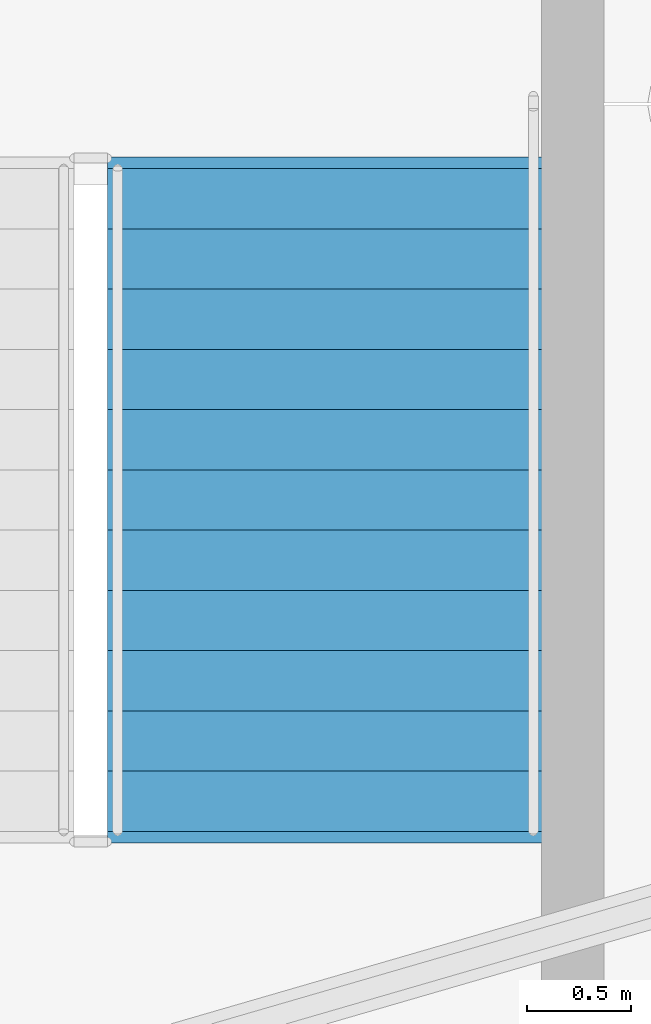
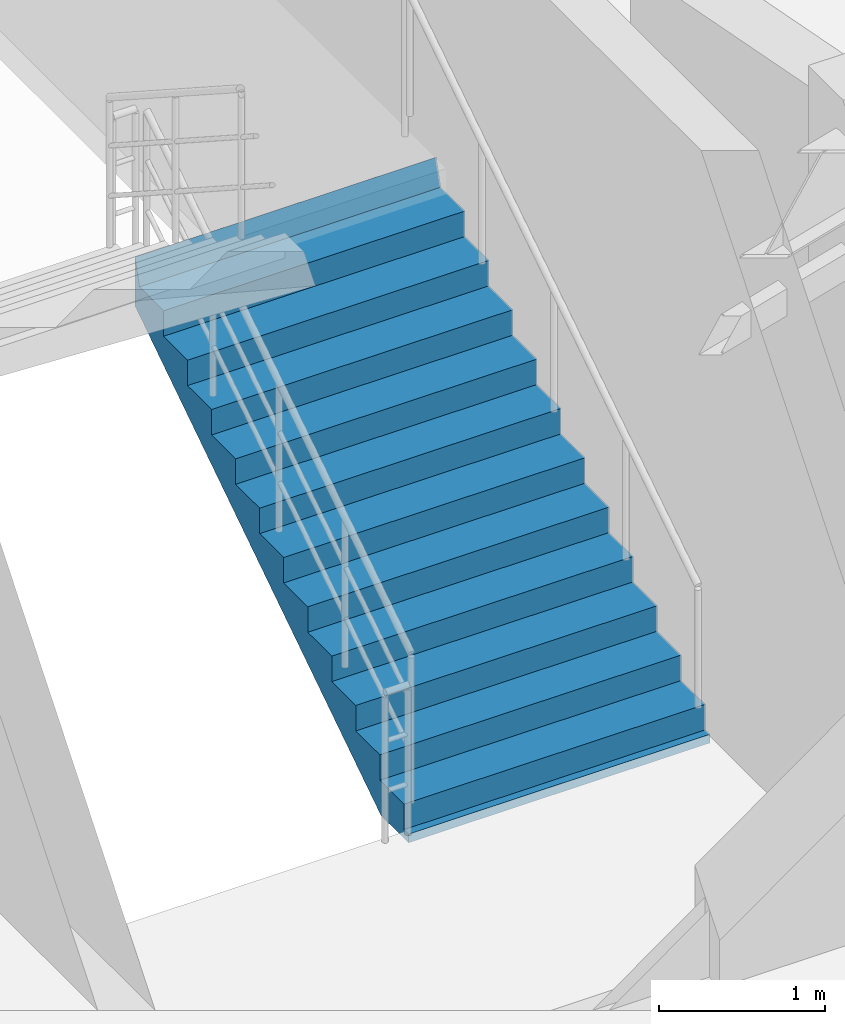
# One storey, part 47 of 60: 1 stair flight, 1 element without a shape of its own.
"""IFC4 building model written with IfcOpenShell, lengths in metres."""

from ifc_helpers import new_model, si_unit, direction, frame, origin, place, context, subcontext, project, spatial, polyline, outline, extrude, material, type_object, element, aggregate, save


model = new_model("IFC4")

# Units and contexts
model_context = context("Model", 3, precision=1e-05, world=origin(), true_north=direction((0.0, 1.0)))
body_context = subcontext(model_context, "Body", "Model", "MODEL_VIEW")
ifc_project = project(units=[si_unit("LENGTHUNIT", "METRE"), si_unit("AREAUNIT", "SQUARE_METRE"), si_unit("VOLUMEUNIT", "CUBIC_METRE"), si_unit("PLANEANGLEUNIT", "RADIAN"), si_unit("MASSUNIT", "GRAM", prefix="KILO")], contexts=[model_context])

# Site, building, storey
site_placement = place(None, origin())
site = spatial("IfcSite", under=ifc_project, at=site_placement, CompositionType="ELEMENT")
building_placement = place(site_placement, origin())
building = spatial("IfcBuilding", under=site, at=building_placement, Name="Cinderbank Siding Concert Hall", CompositionType="ELEMENT")
storey_placement = place(building_placement, frame((0.0, 0.0, 14.699951171875)))
storey = spatial("IfcBuildingStorey", under=building, at=storey_placement, Name="L04", CompositionType="ELEMENT", Elevation=14.699951171875)

# Stair, stair flight
ifc_material = material(Name="Reinforced concrete AS 3600 N50 (50 MPa)", Category="concrete")
stair_type = type_object("IfcStairType", Name="STR-D Dogleg Exit Stair 2100mm", PredefinedType="HALF_TURN_STAIR", material=ifc_material)
stair_placement = place(storey_placement, origin())
stair = element("IfcStair", 1, at=stair_placement, inside=storey, type_object=stair_type, Name="L04 West Drum Exit Stair ST-04", PredefinedType="HALF_TURN_STAIR")
stair_flight_type = type_object("IfcStairFlightType", Name="SFL-D Concrete Stair Flight 2100mm", PredefinedType="STRAIGHT", material=ifc_material)
stair_flight_placement = place(storey_placement, frame((100.85009765625, 40.5, 0.0), z_axis=(0.0, 0.0, 1.0), x_axis=(0.0, 1.0, 0.0)))
stair_flight = element("IfcStairFlight", 2, at=stair_flight_placement, type_object=stair_flight_type, Name="ST-04 flight 1", NumberOfRisers=12, NumberOfTreads=11, PredefinedType="STRAIGHT", RiserHeight=0.1875, TreadLength=0.29, context=body_context, shape_type="SweptSolid", body=[
    extrude(outline(polyline([(0.0, 0.0), (0.0, 0.1875), (0.2900390625, 0.1875), (0.2900390625, 0.375), (0.580078125, 0.375), (0.580078125, 0.5625), (0.8701171875, 0.5625), (0.8701171875, 0.75), (1.159912109375, 0.75), (1.159912109375, 0.9375), (1.449951171875, 0.9375), (1.449951171875, 1.125), (1.739990234375, 1.125), (1.739990234375, 1.3125), (2.030029296875, 1.3125), (2.030029296875, 1.5), (2.320068359375, 1.5), (2.320068359375, 1.6875), (2.610107421875, 1.6875), (2.610107421875, 1.875), (2.89990234375, 1.875), (2.89990234375, 2.0625), (3.18994140625, 2.0625), (3.244873046875, 2.25), (3.244873046875, 1.884033203125), (3.24462890625, 1.88427734375), (3.24462890625, 1.884521484375), (3.24462890625, 1.884765625), (3.24462890625, 1.885009765625), (3.24462890625, 1.88525390625), (3.24462890625, 1.885498046875), (3.24462890625, 1.8857421875), (3.24462890625, 1.885986328125), (3.24462890625, 1.88623046875), (3.24462890625, 1.886474609375), (3.24462890625, 1.88671875), (3.24462890625, 1.886962890625), (3.244384765625, 1.886962890625), (3.244384765625, 1.88671875), (3.244384765625, 1.886474609375), (3.244384765625, 1.88623046875), (3.244384765625, 1.885986328125), (3.244384765625, 1.8857421875), (3.244384765625, 1.885498046875), (3.244384765625, 1.88525390625), (3.244384765625, 1.885009765625), (3.244384765625, 1.884765625), (3.244384765625, 1.884521484375), (3.244384765625, 1.88427734375), (3.244384765625, 1.884033203125), (3.244140625, 1.88427734375), (3.244140625, 1.884521484375), (3.244140625, 1.884765625), (3.244140625, 1.885009765625), (3.244140625, 1.88525390625), (3.244140625, 1.885498046875), (3.244140625, 1.8857421875), (3.244140625, 1.885986328125), (3.244140625, 1.88623046875), (3.244140625, 1.886474609375), (3.244140625, 1.88671875), (3.244140625, 1.886962890625), (3.243896484375, 1.886962890625), (3.243896484375, 1.88671875), (3.243896484375, 1.886474609375), (3.243896484375, 1.88623046875), (3.243896484375, 1.885986328125), (3.243896484375, 1.8857421875), (3.243896484375, 1.885498046875), (3.243896484375, 1.88525390625), (3.243896484375, 1.885009765625), (3.243896484375, 1.884765625), (3.243896484375, 1.884521484375), (3.243896484375, 1.88427734375), (3.243896484375, 1.884033203125), (3.24365234375, 1.88427734375), (3.24365234375, 1.884521484375), (3.24365234375, 1.884765625), (3.24365234375, 1.885009765625), (3.24365234375, 1.88525390625), (3.24365234375, 1.885498046875), (3.24365234375, 1.8857421875), (3.24365234375, 1.885986328125), (3.24365234375, 1.88623046875), (3.24365234375, 1.886474609375), (3.24365234375, 1.88671875), (3.24365234375, 1.886962890625), (3.243408203125, 1.886962890625), (3.243408203125, 1.88671875), (3.243408203125, 1.886474609375), (3.243408203125, 1.88623046875), (3.243408203125, 1.885986328125), (3.243408203125, 1.8857421875), (3.243408203125, 1.885498046875), (3.243408203125, 1.88525390625), (3.243408203125, 1.885009765625), (3.243408203125, 1.884765625), (3.243408203125, 1.884521484375), (3.243408203125, 1.88427734375), (3.243408203125, 1.884033203125), (3.2431640625, 1.88427734375), (3.2431640625, 1.884521484375), (3.2431640625, 1.884765625), (3.2431640625, 1.885009765625), (3.2431640625, 1.88525390625), (3.2431640625, 1.885498046875), (3.2431640625, 1.8857421875), (3.2431640625, 1.885986328125), (3.2431640625, 1.88623046875), (3.2431640625, 1.886474609375), (3.2431640625, 1.88671875), (3.2431640625, 1.886962890625), (3.242919921875, 1.886962890625), (3.242919921875, 1.88671875), (3.242919921875, 1.886474609375), (3.242919921875, 1.88623046875), (3.242919921875, 1.885986328125), (3.242919921875, 1.8857421875), (3.242919921875, 1.885498046875), (3.242919921875, 1.88525390625), (3.242919921875, 1.885009765625), (3.242919921875, 1.884765625), (3.242919921875, 1.884521484375), (3.242919921875, 1.88427734375), (3.242919921875, 1.884033203125), (3.24267578125, 1.88427734375), (3.24267578125, 1.884521484375), (3.24267578125, 1.884765625), (3.24267578125, 1.885009765625), (3.24267578125, 1.88525390625), (3.24267578125, 1.885498046875), (3.24267578125, 1.8857421875), (3.24267578125, 1.885986328125), (3.24267578125, 1.88623046875), (3.24267578125, 1.886474609375), (3.24267578125, 1.88671875), (3.24267578125, 1.886962890625), (3.242431640625, 1.886962890625), (3.242431640625, 1.88671875), (3.242431640625, 1.886474609375), (3.242431640625, 1.88623046875), (3.242431640625, 1.885986328125), (3.242431640625, 1.8857421875), (3.242431640625, 1.885498046875), (3.242431640625, 1.88525390625), (3.242431640625, 1.885009765625), (3.242431640625, 1.884765625), (3.242431640625, 1.884521484375), (3.242431640625, 1.88427734375), (3.242431640625, 1.884033203125), (3.2421875, 1.88427734375), (3.2421875, 1.884521484375), (3.2421875, 1.884765625), (3.2421875, 1.885009765625), (3.2421875, 1.88525390625), (3.2421875, 1.885498046875), (3.2421875, 1.8857421875), (3.2421875, 1.885986328125), (3.2421875, 1.88623046875), (3.2421875, 1.886474609375), (3.2421875, 1.88671875), (3.2421875, 1.886962890625), (3.241943359375, 1.886962890625), (3.241943359375, 1.88671875), (3.241943359375, 1.886474609375), (3.241943359375, 1.88623046875), (3.241943359375, 1.885986328125), (3.241943359375, 1.8857421875), (3.241943359375, 1.885498046875), (3.241943359375, 1.88525390625), (3.241943359375, 1.885009765625), (3.241943359375, 1.884765625), (3.241943359375, 1.884521484375), (3.241943359375, 1.88427734375), (3.241943359375, 1.884033203125), (3.24169921875, 1.88427734375), (3.24169921875, 1.884521484375), (3.24169921875, 1.884765625), (3.24169921875, 1.885009765625), (3.24169921875, 1.88525390625), (3.24169921875, 1.885498046875), (3.24169921875, 1.8857421875), (3.24169921875, 1.885986328125), (3.24169921875, 1.88623046875), (3.24169921875, 1.886474609375), (3.24169921875, 1.88671875), (3.24169921875, 1.886962890625), (3.241455078125, 1.886962890625), (3.241455078125, 1.88671875), (3.241455078125, 1.886474609375), (3.241455078125, 1.88623046875), (3.241455078125, 1.885986328125), (3.241455078125, 1.8857421875), (3.241455078125, 1.885498046875), (3.241455078125, 1.88525390625), (3.241455078125, 1.885009765625), (3.241455078125, 1.884765625), (3.241455078125, 1.884521484375), (3.241455078125, 1.88427734375), (3.241455078125, 1.884033203125), (3.2412109375, 1.88427734375), (3.2412109375, 1.884521484375), (3.2412109375, 1.884765625), (3.2412109375, 1.885009765625), (3.2412109375, 1.88525390625), (3.2412109375, 1.885498046875), (3.2412109375, 1.8857421875), (3.2412109375, 1.885986328125), (3.2412109375, 1.88623046875), (3.2412109375, 1.886474609375), (3.2412109375, 1.88671875), (3.2412109375, 1.886962890625), (3.240966796875, 1.886962890625), (3.240966796875, 1.88671875), (3.240966796875, 1.886474609375), (3.240966796875, 1.88623046875), (3.240966796875, 1.885986328125), (3.240966796875, 1.8857421875), (3.240966796875, 1.885498046875), (3.240966796875, 1.88525390625), (3.240966796875, 1.885009765625), (3.240966796875, 1.884765625), (3.240966796875, 1.884521484375), (3.240966796875, 1.88427734375), (3.240966796875, 1.884033203125), (3.24072265625, 1.88427734375), (3.24072265625, 1.884521484375), (3.24072265625, 1.884765625), (3.24072265625, 1.885009765625), (3.24072265625, 1.88525390625), (3.24072265625, 1.885498046875), (3.24072265625, 1.8857421875), (3.24072265625, 1.885986328125), (3.24072265625, 1.88623046875), (3.24072265625, 1.886474609375), (3.24072265625, 1.88671875), (3.24072265625, 1.886962890625), (3.240478515625, 1.886962890625), (3.240478515625, 1.88671875), (3.240478515625, 1.886474609375), (3.240478515625, 1.88623046875), (3.240478515625, 1.885986328125), (3.240478515625, 1.8857421875), (3.240478515625, 1.885498046875), (3.240478515625, 1.88525390625), (3.240478515625, 1.885009765625), (3.240478515625, 1.884765625), (3.240478515625, 1.884521484375), (3.240478515625, 1.88427734375), (3.240478515625, 1.884033203125), (3.240234375, 1.88427734375), (3.240234375, 1.884521484375), (3.240234375, 1.884765625), (3.240234375, 1.885009765625), (3.240234375, 1.88525390625), (3.240234375, 1.885498046875), (3.240234375, 1.8857421875), (3.240234375, 1.885986328125), (3.240234375, 1.88623046875), (3.240234375, 1.886474609375), (3.240234375, 1.88671875), (3.240234375, 1.886962890625), (3.239990234375, 1.886962890625), (3.239990234375, 1.88671875), (3.239990234375, 1.886474609375), (3.239990234375, 1.88623046875), (3.239990234375, 1.885986328125), (3.239990234375, 1.8857421875), (3.239990234375, 1.885498046875), (3.239990234375, 1.88525390625), (3.239990234375, 1.885009765625), (3.239990234375, 1.884765625), (3.239990234375, 1.884521484375), (3.239990234375, 1.88427734375), (3.239990234375, 1.884033203125), (3.23974609375, 1.88427734375), (3.23974609375, 1.884521484375), (3.23974609375, 1.884765625), (3.23974609375, 1.885009765625), (3.23974609375, 1.88525390625), (3.23974609375, 1.885498046875), (3.23974609375, 1.8857421875), (3.23974609375, 1.885986328125), (3.23974609375, 1.88623046875), (3.23974609375, 1.886474609375), (3.23974609375, 1.88671875), (3.23974609375, 1.886962890625), (3.239501953125, 1.886962890625), (3.239501953125, 1.88671875), (3.239501953125, 1.886474609375), (3.239501953125, 1.88623046875), (3.239501953125, 1.885986328125), (3.239501953125, 1.8857421875), (3.239501953125, 1.885498046875), (3.239501953125, 1.88525390625), (3.239501953125, 1.885009765625), (3.239501953125, 1.884765625), (3.239501953125, 1.884521484375), (3.239501953125, 1.88427734375), (3.239501953125, 1.884033203125), (3.2392578125, 1.88427734375), (3.2392578125, 1.884521484375), (3.2392578125, 1.884765625), (3.2392578125, 1.885009765625), (3.2392578125, 1.88525390625), (3.2392578125, 1.885498046875), (3.2392578125, 1.8857421875), (3.2392578125, 1.885986328125), (3.2392578125, 1.88623046875), (3.2392578125, 1.886474609375), (3.2392578125, 1.88671875), (3.2392578125, 1.886962890625), (3.239013671875, 1.886962890625), (3.239013671875, 1.88671875), (3.239013671875, 1.886474609375), (3.239013671875, 1.88623046875), (3.239013671875, 1.885986328125), (3.239013671875, 1.8857421875), (3.239013671875, 1.885498046875), (3.239013671875, 1.88525390625), (3.239013671875, 1.885009765625), (3.239013671875, 1.884765625), (3.239013671875, 1.884521484375), (3.239013671875, 1.88427734375), (3.239013671875, 1.884033203125), (3.23876953125, 1.88427734375), (3.23876953125, 1.884521484375), (3.23876953125, 1.884765625), (3.23876953125, 1.885009765625), (3.23876953125, 1.88525390625), (3.23876953125, 1.885498046875), (3.23876953125, 1.8857421875), (3.23876953125, 1.885986328125), (3.23876953125, 1.88623046875), (3.23876953125, 1.886474609375), (3.23876953125, 1.88671875), (3.23876953125, 1.886962890625), (3.238525390625, 1.886962890625), (3.238525390625, 1.88671875), (3.238525390625, 1.886474609375), (3.238525390625, 1.88623046875), (3.238525390625, 1.885986328125), (3.238525390625, 1.8857421875), (3.238525390625, 1.885498046875), (3.238525390625, 1.88525390625), (3.238525390625, 1.885009765625), (3.238525390625, 1.884765625), (3.238525390625, 1.884521484375), (3.238525390625, 1.88427734375), (3.238525390625, 1.884033203125), (0.276123046875, -0.06396484375), (-0.048583984375, -0.063720703125), (-0.048583984375, -0.0634765625), (-0.048583984375, -0.063232421875), (-0.048583984375, -0.06298828125), (-0.048583984375, -0.062744140625), (-0.048583984375, -0.0625), (-0.048583984375, -0.062255859375), (-0.048583984375, -0.06201171875), (-0.048583984375, -0.061767578125), (-0.048583984375, -0.0615234375), (-0.048583984375, -0.061279296875), (-0.048583984375, -0.06103515625), (-0.048828125, -0.06103515625), (-0.048828125, -0.061279296875), (-0.048828125, -0.0615234375), (-0.048828125, -0.061767578125), (-0.048828125, -0.06201171875), (-0.048828125, -0.062255859375), (-0.048828125, -0.0625), (-0.048828125, -0.062744140625), (-0.048828125, -0.06298828125), (-0.048828125, -0.063232421875), (-0.048828125, -0.0634765625), (-0.048828125, -0.063720703125), (-0.048828125, -0.06396484375), (-0.049072265625, -0.063720703125), (-0.049072265625, -0.0634765625), (-0.049072265625, -0.063232421875), (-0.049072265625, -0.06298828125), (-0.049072265625, -0.062744140625), (-0.049072265625, -0.0625), (-0.049072265625, -0.062255859375), (-0.049072265625, -0.06201171875), (-0.049072265625, -0.061767578125), (-0.049072265625, -0.0615234375), (-0.049072265625, -0.061279296875), (-0.049072265625, -0.06103515625), (-0.04931640625, -0.06103515625), (-0.04931640625, -0.061279296875), (-0.04931640625, -0.0615234375), (-0.04931640625, -0.061767578125), (-0.04931640625, -0.06201171875), (-0.04931640625, -0.062255859375), (-0.04931640625, -0.0625), (-0.04931640625, -0.062744140625), (-0.04931640625, -0.06298828125), (-0.04931640625, -0.063232421875), (-0.04931640625, -0.0634765625), (-0.04931640625, -0.063720703125), (-0.04931640625, -0.06396484375), (-0.049560546875, -0.063720703125), (-0.049560546875, -0.0634765625), (-0.049560546875, -0.063232421875), (-0.049560546875, -0.06298828125), (-0.049560546875, -0.062744140625), (-0.049560546875, -0.0625), (-0.049560546875, -0.062255859375), (-0.049560546875, -0.06201171875), (-0.049560546875, -0.061767578125), (-0.049560546875, -0.0615234375), (-0.049560546875, -0.061279296875), (-0.049560546875, -0.06103515625), (-0.0498046875, -0.06103515625), (-0.0498046875, -0.061279296875), (-0.0498046875, -0.0615234375), (-0.0498046875, -0.061767578125), (-0.0498046875, -0.06201171875), (-0.0498046875, -0.062255859375), (-0.0498046875, -0.0625), (-0.0498046875, -0.062744140625), (-0.0498046875, -0.06298828125), (-0.0498046875, -0.063232421875), (-0.0498046875, -0.0634765625), (-0.0498046875, -0.063720703125), (-0.0498046875, -0.06396484375), (-0.050048828125, -0.063720703125), (-0.050048828125, -0.0634765625), (-0.050048828125, -0.063232421875), (-0.050048828125, -0.06298828125), (-0.050048828125, -0.062744140625), (-0.050048828125, -0.0625), (-0.050048828125, -0.062255859375), (-0.050048828125, -0.06201171875), (-0.050048828125, -0.061767578125), (-0.050048828125, -0.0615234375), (-0.050048828125, -0.061279296875), (-0.050048828125, -0.06103515625), (-0.05029296875, -0.06103515625), (-0.05029296875, -0.061279296875), (-0.05029296875, -0.0615234375), (-0.05029296875, -0.061767578125), (-0.05029296875, -0.06201171875), (-0.05029296875, -0.062255859375), (-0.05029296875, -0.0625), (-0.05029296875, -0.062744140625), (-0.05029296875, -0.06298828125), (-0.05029296875, -0.063232421875), (-0.05029296875, -0.0634765625), (-0.05029296875, -0.063720703125), (-0.05029296875, -0.06396484375), (-0.050537109375, -0.063720703125), (-0.050537109375, -0.0634765625), (-0.050537109375, -0.063232421875), (-0.050537109375, -0.06298828125), (-0.050537109375, -0.062744140625), (-0.050537109375, -0.0625), (-0.050537109375, -0.062255859375), (-0.050537109375, -0.06201171875), (-0.050537109375, -0.061767578125), (-0.050537109375, -0.0615234375), (-0.050537109375, -0.061279296875), (-0.050537109375, -0.06103515625), (-0.05078125, -0.06103515625), (-0.05078125, -0.061279296875), (-0.05078125, -0.0615234375), (-0.05078125, -0.061767578125), (-0.05078125, -0.06201171875), (-0.05078125, -0.062255859375), (-0.05078125, -0.0625), (-0.05078125, -0.062744140625), (-0.05078125, -0.06298828125), (-0.05078125, -0.063232421875), (-0.05078125, -0.0634765625), (-0.05078125, -0.063720703125), (-0.05078125, -0.06396484375), (-0.051025390625, -0.063720703125), (-0.051025390625, -0.0634765625), (-0.051025390625, -0.063232421875), (-0.051025390625, -0.06298828125), (-0.051025390625, -0.062744140625), (-0.051025390625, -0.0625), (-0.051025390625, -0.062255859375), (-0.051025390625, -0.06201171875), (-0.051025390625, -0.061767578125), (-0.051025390625, -0.0615234375), (-0.051025390625, -0.061279296875), (-0.051025390625, -0.06103515625), (-0.05126953125, -0.06103515625), (-0.05126953125, -0.061279296875), (-0.05126953125, -0.0615234375), (-0.05126953125, -0.061767578125), (-0.05126953125, -0.06201171875), (-0.05126953125, -0.062255859375), (-0.05126953125, -0.0625), (-0.05126953125, -0.062744140625), (-0.05126953125, -0.06298828125), (-0.05126953125, -0.063232421875), (-0.05126953125, -0.0634765625), (-0.05126953125, -0.063720703125), (-0.05126953125, -0.06396484375), (-0.051513671875, -0.063720703125), (-0.051513671875, -0.0634765625), (-0.051513671875, -0.063232421875), (-0.051513671875, -0.06298828125), (-0.051513671875, -0.062744140625), (-0.051513671875, -0.0625), (-0.051513671875, -0.062255859375), (-0.051513671875, -0.06201171875), (-0.051513671875, -0.061767578125), (-0.051513671875, -0.0615234375), (-0.051513671875, -0.061279296875), (-0.051513671875, -0.06103515625), (-0.0517578125, -0.06103515625), (-0.0517578125, -0.061279296875), (-0.0517578125, -0.0615234375), (-0.0517578125, -0.061767578125), (-0.0517578125, -0.06201171875), (-0.0517578125, -0.062255859375), (-0.0517578125, -0.0625), (-0.0517578125, -0.062744140625), (-0.0517578125, -0.06298828125), (-0.0517578125, -0.063232421875), (-0.0517578125, -0.0634765625), (-0.0517578125, -0.063720703125), (-0.0517578125, -0.06396484375), (-0.052001953125, -0.063720703125), (-0.052001953125, -0.0634765625), (-0.052001953125, -0.063232421875), (-0.052001953125, -0.06298828125), (-0.052001953125, -0.062744140625), (-0.052001953125, -0.0625), (-0.052001953125, -0.062255859375), (-0.052001953125, -0.06201171875), (-0.052001953125, -0.061767578125), (-0.052001953125, -0.0615234375), (-0.052001953125, -0.061279296875), (-0.052001953125, -0.06103515625), (-0.05224609375, -0.06103515625), (-0.05224609375, -0.061279296875), (-0.05224609375, -0.0615234375), (-0.05224609375, -0.061767578125), (-0.05224609375, -0.06201171875), (-0.05224609375, -0.062255859375), (-0.05224609375, -0.0625), (-0.05224609375, -0.062744140625), (-0.05224609375, -0.06298828125), (-0.05224609375, -0.063232421875), (-0.05224609375, -0.0634765625), (-0.05224609375, -0.063720703125), (-0.05224609375, -0.06396484375), (-0.052490234375, -0.063720703125), (-0.052490234375, -0.0634765625), (-0.052490234375, -0.063232421875), (-0.052490234375, -0.06298828125), (-0.052490234375, -0.062744140625), (-0.052490234375, -0.0625), (-0.052490234375, -0.062255859375), (-0.052490234375, -0.06201171875), (-0.052490234375, -0.061767578125), (-0.052490234375, -0.0615234375), (-0.052490234375, -0.061279296875), (-0.052490234375, -0.06103515625), (-0.052734375, -0.06103515625), (-0.052734375, -0.061279296875), (-0.052734375, -0.0615234375), (-0.052734375, -0.061767578125), (-0.052734375, -0.06201171875), (-0.052734375, -0.062255859375), (-0.052734375, -0.0625), (-0.052734375, -0.062744140625), (-0.052734375, -0.06298828125), (-0.052734375, -0.063232421875), (-0.052734375, -0.0634765625), (-0.052734375, -0.063720703125), (-0.052734375, -0.06396484375), (-0.052978515625, -0.063720703125), (-0.052978515625, -0.0634765625), (-0.052978515625, -0.063232421875), (-0.052978515625, -0.06298828125), (-0.052978515625, -0.062744140625), (-0.052978515625, -0.0625), (-0.052978515625, -0.062255859375), (-0.052978515625, -0.06201171875), (-0.052978515625, -0.061767578125), (-0.052978515625, -0.0615234375), (-0.052978515625, -0.061279296875), (-0.052978515625, -0.06103515625), (-0.05322265625, -0.06103515625), (-0.05322265625, -0.061279296875), (-0.05322265625, -0.0615234375), (-0.05322265625, -0.061767578125), (-0.05322265625, -0.06201171875), (-0.05322265625, -0.062255859375), (-0.05322265625, -0.0625), (-0.05322265625, -0.062744140625), (-0.05322265625, -0.06298828125), (-0.05322265625, -0.063232421875), (-0.05322265625, -0.0634765625), (-0.05322265625, -0.063720703125), (-0.05322265625, -0.06396484375), (-0.053466796875, -0.063720703125), (-0.053466796875, -0.0634765625), (-0.053466796875, -0.063232421875), (-0.053466796875, -0.06298828125), (-0.053466796875, -0.062744140625), (-0.053466796875, -0.0625), (-0.053466796875, -0.062255859375), (-0.053466796875, -0.06201171875), (-0.053466796875, -0.061767578125), (-0.053466796875, -0.0615234375), (-0.053466796875, -0.061279296875), (-0.053466796875, -0.06103515625), (-0.0537109375, -0.06103515625), (-0.0537109375, -0.061279296875), (-0.0537109375, -0.0615234375), (-0.0537109375, -0.061767578125), (-0.0537109375, -0.06201171875), (-0.0537109375, -0.062255859375), (-0.0537109375, -0.0625), (-0.0537109375, -0.062744140625), (-0.0537109375, -0.06298828125), (-0.0537109375, -0.063232421875), (-0.0537109375, -0.0634765625), (-0.0537109375, -0.063720703125), (-0.0537109375, -0.06396484375), (-0.053955078125, -0.063720703125), (-0.053955078125, -0.0634765625), (-0.053955078125, -0.063232421875), (-0.053955078125, -0.06298828125), (-0.053955078125, -0.062744140625), (-0.053955078125, -0.0625), (-0.053955078125, -0.062255859375), (-0.053955078125, -0.06201171875), (-0.053955078125, -0.061767578125), (-0.053955078125, -0.0615234375), (-0.053955078125, -0.061279296875), (-0.053955078125, -0.06103515625), (-0.05419921875, -0.06103515625), (-0.05419921875, -0.061279296875), (-0.05419921875, -0.0615234375), (-0.05419921875, -0.061767578125), (-0.05419921875, -0.06201171875), (-0.05419921875, -0.062255859375), (-0.05419921875, -0.0625), (-0.05419921875, -0.062744140625), (-0.05419921875, -0.06298828125), (-0.05419921875, -0.063232421875), (-0.05419921875, -0.0634765625), (-0.05419921875, -0.063720703125), (-0.05419921875, -0.06396484375), (-0.054443359375, -0.063720703125), (-0.054443359375, -0.0634765625), (-0.054443359375, -0.063232421875), (-0.054443359375, -0.06298828125), (-0.054443359375, -0.062744140625), (-0.054443359375, -0.0625), (-0.054443359375, -0.062255859375), (-0.054443359375, -0.06201171875), (-0.054443359375, -0.061767578125), (-0.054443359375, -0.0615234375), (-0.054443359375, -0.061279296875), (-0.054443359375, -0.06103515625), (-0.0546875, -0.06103515625), (-0.0546875, -0.061279296875), (-0.0546875, -0.0615234375), (-0.0546875, -0.061767578125), (-0.0546875, -0.06201171875), (-0.0546875, -0.062255859375), (-0.0546875, -0.0625), (-0.0546875, -0.062744140625), (-0.0546875, -0.06298828125), (-0.0546875, -0.063232421875), (-0.0546875, -0.0634765625), (-0.0546875, -0.063720703125), (-0.0546875, -0.06396484375), (-0.054931640625, -0.06396484375), (-0.054931640625, 0.0), (0.0, 0.0)])), frame((0.0, 1.050048828125, 0.0), z_axis=(0.0, -1.0, 0.0), x_axis=(1.0, 0.0, 0.0)), (0.0, 0.0, 1.0), 2.10009765625),
])
aggregate(stair, [stair_flight])

save(model, "model.ifc")
